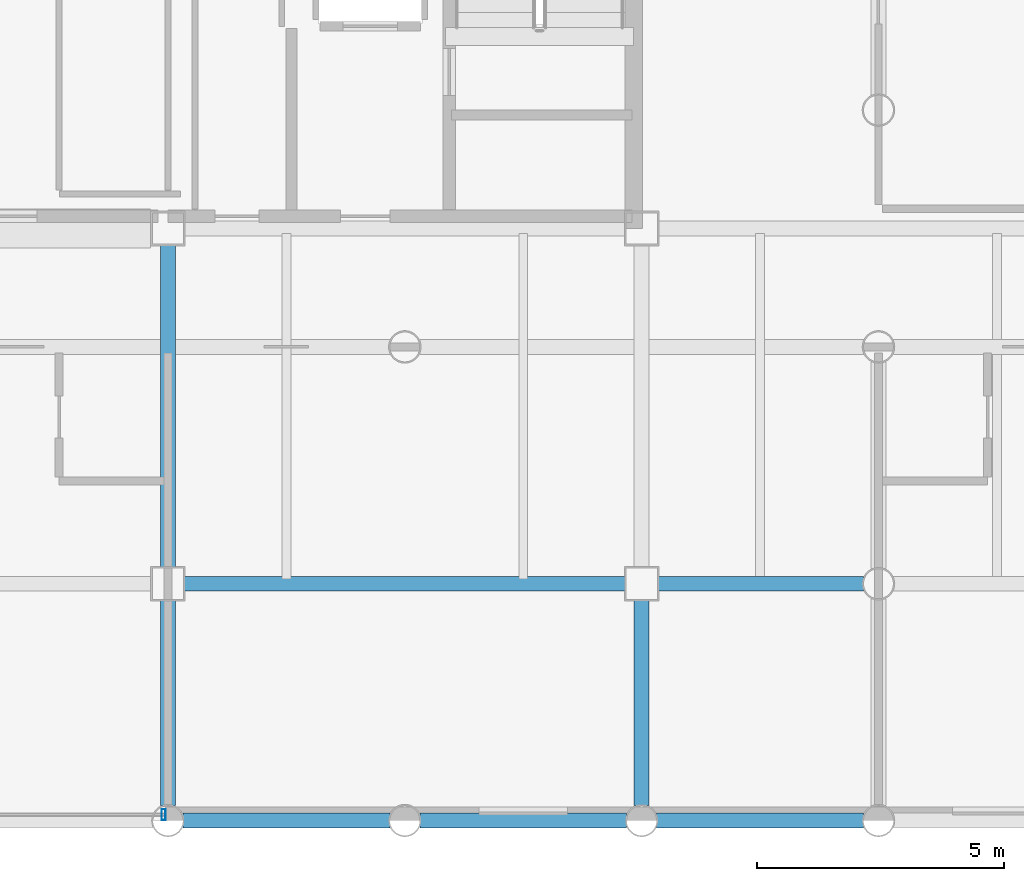
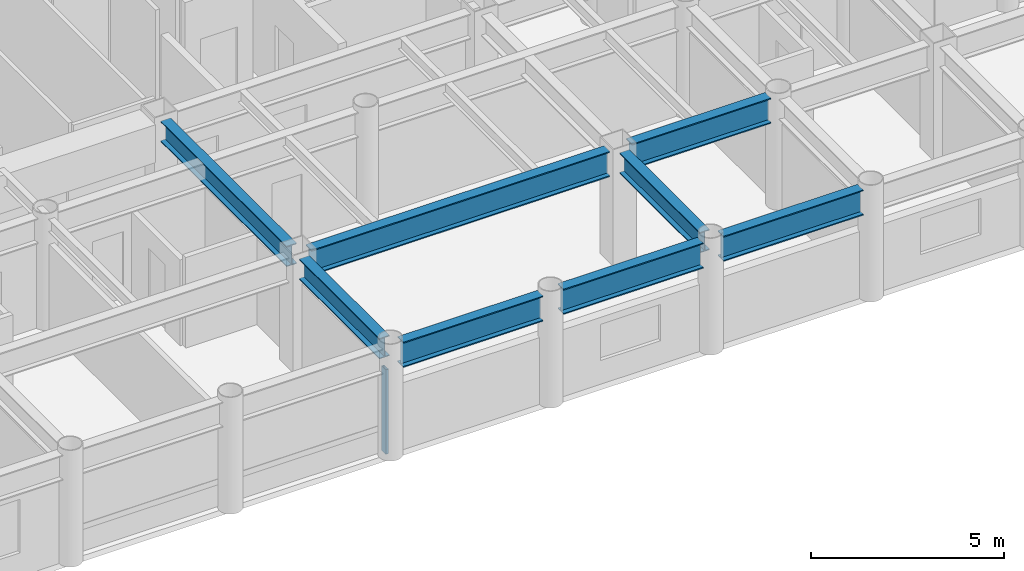
# One storey, part 6 of 22: 8 beams, 1 member, 1 element without a shape of its own.
"""IFC4 building model written with IfcOpenShell, lengths in metres."""

from ifc_helpers import new_model, si_unit, direction, frame, origin, origin_2d, place, context, subcontext, project, spatial, hollow_rectangle, i_section, extrude, material, layer, layer_set, material_profile, profile_set, type_object, element, aggregate, save


model = new_model("IFC4")

# Units and contexts
model_context = context("Model", 3, precision=1e-05, world=origin(), true_north=direction((0.0, 1.0)))
body_context = subcontext(model_context, "Body", "Model", "MODEL_VIEW")
ifc_project = project(units=[si_unit("LENGTHUNIT", "METRE"), si_unit("AREAUNIT", "SQUARE_METRE"), si_unit("VOLUMEUNIT", "CUBIC_METRE"), si_unit("PLANEANGLEUNIT", "RADIAN"), si_unit("MASSUNIT", "GRAM", prefix="KILO")], contexts=[model_context])

# Site, building, storey
site_placement = place(None, origin())
site = spatial("IfcSite", under=ifc_project, at=site_placement, CompositionType="ELEMENT")
building_placement = place(site_placement, origin())
building = spatial("IfcBuilding", under=site, at=building_placement, Name="Kallvorn Hotel Tower", CompositionType="ELEMENT")
storey_placement = place(building_placement, frame((0.0, 0.0, 110.0)))
storey = spatial("IfcBuildingStorey", under=building, at=storey_placement, Name="L26", CompositionType="ELEMENT", Elevation=110.0)

# Beams
ifc_material_1 = material(Name="Structural steel S355JR", Category="steel")
ifc_material_profile_1 = material_profile(ifc_material_1, i_section(OverallWidth=0.300048828125, OverallDepth=0.64990234375, WebThickness=0.01611328125, FlangeThickness=0.031005859375, at=origin_2d()), Name="HE 650 B")
ifc_profile_set_1 = profile_set([ifc_material_profile_1], Name="Structural steel S355JR")
beam_type_1 = type_object("IfcBeamType", Name="BM_HE650B", PredefinedType="BEAM", material=ifc_profile_set_1)
beam_1_placement = place(storey_placement, frame((4.800048828125, -18.89501953125, 3.195068359375), z_axis=(0.0, 1.0, 0.0), x_axis=(-1.0, 0.0, 0.0)))
element("IfcBeam", 1, at=beam_1_placement, inside=storey, type_object=beam_type_1, Name="L27 Primary Y-Girder 113", PredefinedType="BEAM", context=body_context, shape_type="SweptSolid", body=[
    extrude(i_section(OverallWidth=0.300048828125, OverallDepth=0.64990234375, WebThickness=0.01611328125, FlangeThickness=0.031005859375, at=origin_2d()), origin(), (0.0, 0.0, 1.0), 4.169921875),
])
beam_2_placement = place(storey_placement, frame((4.800048828125, -14.074951171875, 3.195068359375), z_axis=(0.0, 1.0, 0.0), x_axis=(-1.0, 0.0, 0.0)))
element("IfcBeam", 2, at=beam_2_placement, inside=storey, type_object=beam_type_1, Name="L27 Primary Y-Girder 114", PredefinedType="BEAM", context=body_context, shape_type="SweptSolid", body=[
    extrude(i_section(OverallWidth=0.300048828125, OverallDepth=0.64990234375, WebThickness=0.01611328125, FlangeThickness=0.031005859375, at=origin_2d()), origin(), (0.0, 0.0, 1.0), 6.550048828125),
])
beam_3_placement = place(storey_placement, frame((14.39990234375, -18.89501953125, 3.195068359375), z_axis=(0.0, 1.0, 0.0), x_axis=(-1.0, 0.0, 0.0)))
element("IfcBeam", 3, at=beam_3_placement, inside=storey, type_object=beam_type_1, Name="L27 Primary Y-Girder 121", PredefinedType="BEAM", context=body_context, shape_type="SweptSolid", body=[
    extrude(i_section(OverallWidth=0.300048828125, OverallDepth=0.64990234375, WebThickness=0.01611328125, FlangeThickness=0.031005859375, at=origin_2d()), origin(), (0.0, 0.0, 1.0), 4.169921875),
])
ifc_material_2 = material(Name="Structural steel S355JR", Category="steel")
ifc_material_profile_2 = material_profile(ifc_material_2, i_section(OverallWidth=0.300048828125, OverallDepth=0.800048828125, WebThickness=0.017578125, FlangeThickness=0.032958984375, at=origin_2d()), Name="HE 800 B")
ifc_profile_set_2 = profile_set([ifc_material_profile_2], Name="Structural steel S355JR")
beam_type_2 = type_object("IfcBeamType", Name="BM_HE800B", PredefinedType="BEAM", material=ifc_profile_set_2)
for number, where, z_axis, x_axis, name in (
    (4, (5.10498046875, -19.199951171875, 3.1201171875), (1.0, 0.0, 0.0), (0.0, 1.0, 0.0), "L27 Primary X-Girder 08"),
    (5, (9.905029296875, -19.199951171875, 3.1201171875), (1.0, 0.0, 0.0), (0.0, 1.0, 0.0), "L27 Primary X-Girder 09"),
    (6, (14.705078125, -19.199951171875, 3.1201171875), (1.0, 0.0, 0.0), (0.0, 1.0, 0.0), "L27 Primary X-Girder 10"),
):
    element("IfcBeam", number, at=place(storey_placement, frame(where, z_axis=z_axis, x_axis=x_axis)), inside=storey, type_object=beam_type_2, Name=name, PredefinedType="BEAM", context=body_context, shape_type="SweptSolid", body=[
        extrude(i_section(OverallWidth=0.300048828125, OverallDepth=0.800048828125, WebThickness=0.017578125, FlangeThickness=0.032958984375, at=origin_2d()), origin(), (0.0, 0.0, 1.0), 4.18994140625),
    ])
beam_4_placement = place(storey_placement, frame((5.125, -14.39990234375, 3.1201171875), z_axis=(1.0, 0.0, 0.0), x_axis=(0.0, 1.0, 0.0)))
element("IfcBeam", 7, at=beam_4_placement, inside=storey, type_object=beam_type_2, Name="L27 Primary X-Girder 18", PredefinedType="BEAM", context=body_context, shape_type="SweptSolid", body=[
    extrude(i_section(OverallWidth=0.300048828125, OverallDepth=0.800048828125, WebThickness=0.017578125, FlangeThickness=0.032958984375, at=origin_2d()), origin(), (0.0, 0.0, 1.0), 8.949951171875),
])
beam_5_placement = place(storey_placement, frame((14.72509765625, -14.39990234375, 3.1201171875), z_axis=(1.0, 0.0, 0.0), x_axis=(0.0, 1.0, 0.0)))
element("IfcBeam", 8, at=beam_5_placement, inside=storey, type_object=beam_type_2, Name="L27 Primary X-Girder 19", PredefinedType="BEAM", context=body_context, shape_type="SweptSolid", body=[
    extrude(i_section(OverallWidth=0.300048828125, OverallDepth=0.800048828125, WebThickness=0.017578125, FlangeThickness=0.032958984375, at=origin_2d()), origin(), (0.0, 0.0, 1.0), 4.169921875),
])

# Curtain wall, member
ifc_material_3 = material(Name="Thermally broken black-anodised aluminium AA 6063-T6", Category="aluminium")
ifc_layer = layer(ifc_material_3, 0.199951171875)
ifc_layer_set = layer_set([ifc_layer], Name="CW_SYS_3_HOTEL_LOW")
curtain_wall_type = type_object("IfcCurtainWallType", Name="CW_SYS_3_HOTEL_LOW", PredefinedType="USERDEFINED", material=ifc_layer_set)
curtain_wall_placement = place(storey_placement, origin())
curtain_wall = element("IfcCurtainWall", 9, at=curtain_wall_placement, inside=storey, type_object=curtain_wall_type, Name="L26 Dark-Glass Curtain Wall CW-L26-SC", ObjectType="UNITISED CURTAIN WALL", PredefinedType="USERDEFINED")
ifc_material_4 = material(Name="Thermally broken black-anodised aluminium AA 6063-T6", Category="aluminium")
ifc_material_profile_3 = material_profile(ifc_material_4, hollow_rectangle(XDim=0.080078125, YDim=0.219970703125, WallThickness=0.0048828125, at=origin_2d()), Name="MUL 220x80")
ifc_profile_set_3 = profile_set([ifc_material_profile_3], Name="Thermally broken black-anodised aluminium AA 6063-T6")
member_type = type_object("IfcMemberType", Name="CW_MULLION_220x80", PredefinedType="MULLION", material=ifc_profile_set_3)
member_placement = place(storey_placement, frame((4.7099609375, -19.080078125, 0.02001953125), z_axis=(0.0, 0.0, 1.0), x_axis=(1.0, 0.0, 0.0)))
member = element("IfcMember", 10, at=member_placement, type_object=member_type, Name="CW-L26-SC Mullion 02", PredefinedType="MULLION", context=body_context, shape_type="SweptSolid", body=[
    extrude(hollow_rectangle(XDim=0.080078125, YDim=0.219970703125, WallThickness=0.0048828125, at=origin_2d()), origin(), (0.0, 0.0, 1.0), 2.679931640625),
])
aggregate(curtain_wall, [member])

save(model, "model.ifc")
